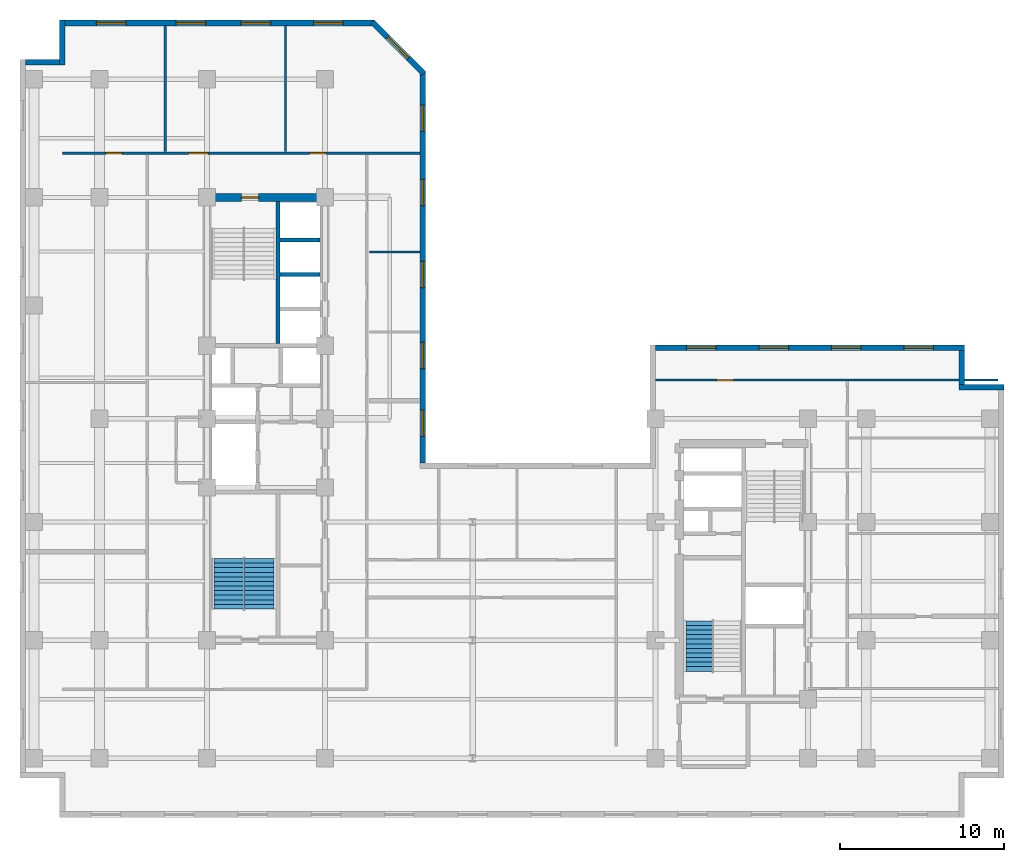
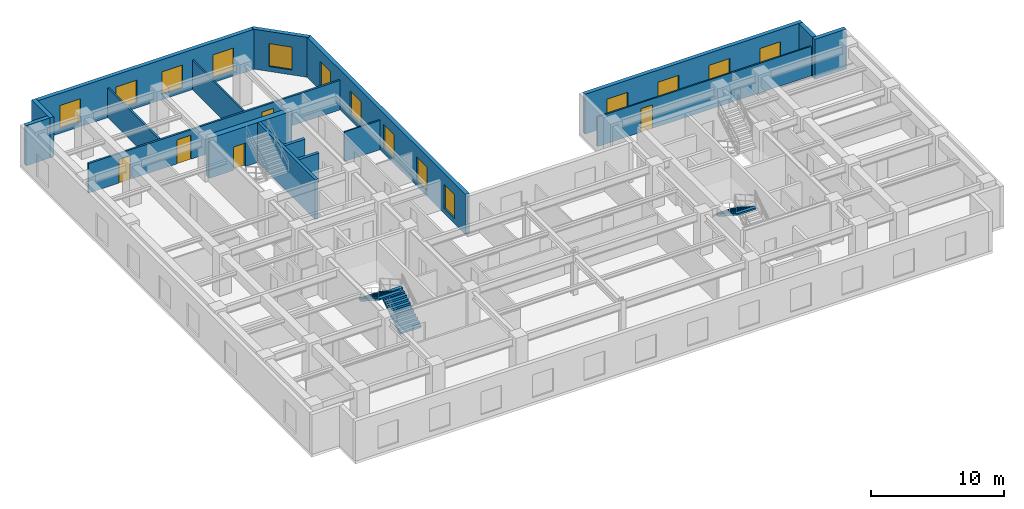
# One storey, part 6 of 10: 17 walls, 14 windows, 5 doors, 3 stair flights, 19 openings, 2 elements without a shape of their own.
"""IFC4 building model written with IfcOpenShell, lengths in metres."""

from ifc_helpers import new_model, entity, si_unit, converted_unit, direction, frame, origin_with_axes, origin_2d_with_axis, place, context, subcontext, project, spatial, polyline, rectangle, outline, extrude, material, layer, layer_set, type_object, element, fill, aggregate, save


model = new_model("IFC4")

# Units and contexts
model_context = context("Model", 3, precision=1e-05, world=origin_with_axes(), true_north=direction((0.0, 1.0)))
body_context = subcontext(model_context, "Body", "Model", "MODEL_VIEW")
ifc_project = project(units=[si_unit("LENGTHUNIT", "METRE"), si_unit("AREAUNIT", "SQUARE_METRE"), si_unit("VOLUMEUNIT", "CUBIC_METRE"), converted_unit("PLANEANGLEUNIT", "DEGREE", entity("IfcPlaneAngleMeasure", 0.017453292519943295), si_unit("PLANEANGLEUNIT", "RADIAN"), dimensions=[0, 0, 0, 0, 0, 0, 0]), si_unit("MASSUNIT", "GRAM", prefix="KILO"), si_unit("THERMODYNAMICTEMPERATUREUNIT", "KELVIN")], contexts=[model_context])

# Site, building, storey
site_placement = place(None, origin_with_axes())
site = spatial("IfcSite", under=ifc_project, at=site_placement, CompositionType="ELEMENT")
building_placement = place(site_placement, origin_with_axes())
building = spatial("IfcBuilding", under=site, at=building_placement, Name="Varnlund Millrace Tower", CompositionType="ELEMENT")
storey_placement = place(building_placement, frame((0.0, 0.0, 171.9), z_axis=(0.0, 0.0, 1.0), x_axis=(1.0, 0.0, 0.0)))
storey = spatial("IfcBuildingStorey", under=building, at=storey_placement, Name="L42", CompositionType="ELEMENT", Elevation=171.9)

# Wall, opening, door
ifc_material_1 = material(Name="Concrete C70/85", Category="concrete")
ifc_layer_1 = layer(ifc_material_1, 0.5, Name="Concrete C70/85")
ifc_layer_set_1 = layer_set([ifc_layer_1], Name="Concrete C70/85")
wall_type_1 = type_object("IfcWallType", Name="Type-CoreWall-Shear-500-C70", PredefinedType="SHEAR", material=ifc_layer_set_1)
wall_1_placement = place(storey_placement, frame((11.4, 37.8, 0.0), z_axis=(0.0, 0.0, 1.0), x_axis=(1.0, 0.0, 0.0)))
wall_1 = element("IfcWall", 1, at=wall_1_placement, inside=storey, type_object=wall_type_1, Name="Type-CoreWall-Shear-500-C70", PredefinedType="SHEAR", context=body_context, shape_type="SweptSolid", body=[
    extrude(outline(polyline([(0.0, -0.25), (7.2, -0.25), (7.2, 0.25), (0.0, 0.25), (0.0, -0.25)])), origin_with_axes(), (0.0, 0.0, 1.0), 3.66),
])
opening_1_placement = place(wall_1_placement, frame((2.625, 0.0, 0.0), z_axis=(0.0, 0.0, 1.0), x_axis=(1.0, 0.0, 0.0)))
opening_1 = element("IfcOpeningElement", 2, at=opening_1_placement, cuts=wall_1, Name="Opening L42:DR-STA2", PredefinedType="OPENING", context=body_context, shape_type="SweptSolid", body=[
    extrude(rectangle(XDim=1.05, YDim=0.52, at=origin_2d_with_axis()), origin_with_axes(), (0.0, 0.0, 1.0), 2.15),
])
ifc_material_2 = material(Name="Fire-rated hollow steel door", Category="steel")
door_type_1 = type_object("IfcDoorType", Name="Type-FireDoor-Stair-1050X2150", OperationType="NOTDEFINED", PredefinedType="DOOR", material=ifc_material_2)
door_1_placement = place(wall_1_placement, frame((2.625, 0.0, 0.0), z_axis=(0.0, 0.0, 1.0), x_axis=(1.0, 0.0, 0.0)))
door_1 = element("IfcDoor", 3, at=door_1_placement, inside=storey, type_object=door_type_1, Name="Type-FireDoor-Stair-1050X2150", OperationType="SINGLE_SWING_RIGHT", OverallHeight=2.15, OverallWidth=1.05, PredefinedType="DOOR", context=body_context, shape_type="SweptSolid", body=[
    extrude(rectangle(XDim=1.05, YDim=0.09, at=origin_2d_with_axis()), origin_with_axes(), (0.0, 0.0, 1.0), 2.15),
])
fill(opening_1, door_1)

# Wall, openings, windows
ifc_material_3 = material(Name="Precast concrete C50/60", Category="concrete")
ifc_layer_2 = layer(ifc_material_3, 0.34, Name="Precast concrete C50/60")
ifc_layer_set_2 = layer_set([ifc_layer_2], Name="Precast concrete C50/60")
wall_type_2 = type_object("IfcWallType", Name="Type-ExtWall-Precast-Upper-340", PredefinedType="SOLIDWALL", material=ifc_layer_set_2)
wall_2_placement = place(storey_placement, frame((38.74, 28.63, 0.0), z_axis=(0.0, 0.0, 1.0), x_axis=(1.0, 0.0, 0.0)))
wall_2 = element("IfcWall", 4, at=wall_2_placement, inside=storey, type_object=wall_type_2, Name="Type-ExtWall-Precast-Upper-340", PredefinedType="SOLIDWALL", context=body_context, shape_type="SweptSolid", body=[
    extrude(outline(polyline([(0.0, -0.17), (18.86, -0.17), (18.86, 0.17), (0.0, 0.17), (0.0, -0.17)])), origin_with_axes(), (0.0, 0.0, 1.0), 3.66),
])
opening_2_placement = place(wall_2_placement, frame((2.808, 0.0, 0.45), z_axis=(0.0, 0.0, 1.0), x_axis=(1.0, 0.0, 0.0)))
opening_2 = element("IfcOpeningElement", 5, at=opening_2_placement, cuts=wall_2, Name="Opening L42:WN-01", PredefinedType="OPENING", context=body_context, shape_type="SweptSolid", body=[
    extrude(rectangle(XDim=1.8, YDim=0.36, at=origin_2d_with_axis()), origin_with_axes(), (0.0, 0.0, 1.0), 2.1),
])
opening_3_placement = place(wall_2_placement, frame((7.222, 0.0, 0.45), z_axis=(0.0, 0.0, 1.0), x_axis=(1.0, 0.0, 0.0)))
opening_3 = element("IfcOpeningElement", 6, at=opening_3_placement, cuts=wall_2, Name="Opening L42:WN-02", PredefinedType="OPENING", context=body_context, shape_type="SweptSolid", body=[
    extrude(rectangle(XDim=1.8, YDim=0.36, at=origin_2d_with_axis()), origin_with_axes(), (0.0, 0.0, 1.0), 2.1),
])
opening_4_placement = place(wall_2_placement, frame((11.637, 0.0, 0.45), z_axis=(0.0, 0.0, 1.0), x_axis=(1.0, 0.0, 0.0)))
opening_4 = element("IfcOpeningElement", 7, at=opening_4_placement, cuts=wall_2, Name="Opening L42:WN-03", PredefinedType="OPENING", context=body_context, shape_type="SweptSolid", body=[
    extrude(rectangle(XDim=1.8, YDim=0.36, at=origin_2d_with_axis()), origin_with_axes(), (0.0, 0.0, 1.0), 2.1),
])
opening_5_placement = place(wall_2_placement, frame((16.053, 0.0, 0.45), z_axis=(0.0, 0.0, 1.0), x_axis=(1.0, 0.0, 0.0)))
opening_5 = element("IfcOpeningElement", 8, at=opening_5_placement, cuts=wall_2, Name="Opening L42:WN-04", PredefinedType="OPENING", context=body_context, shape_type="SweptSolid", body=[
    extrude(rectangle(XDim=1.8, YDim=0.36, at=origin_2d_with_axis()), origin_with_axes(), (0.0, 0.0, 1.0), 2.1),
])
ifc_material_4 = material(Name="Argon low-e triple glazing in thermally broken bronze frame", Category="glass")
window_type_1 = type_object("IfcWindowType", Name="Type-Window-Punched-1800X2100", PartitioningType="SINGLE_PANEL", PredefinedType="WINDOW", material=ifc_material_4)
window_1_placement = place(wall_2_placement, frame((2.808, 0.0, 0.45), z_axis=(0.0, 0.0, 1.0), x_axis=(1.0, 0.0, 0.0)))
window_1 = element("IfcWindow", 9, at=window_1_placement, inside=storey, type_object=window_type_1, Name="Type-Window-Punched-1800X2100", OverallHeight=2.1, OverallWidth=1.8, PredefinedType="WINDOW", context=body_context, shape_type="SweptSolid", body=[
    extrude(rectangle(XDim=1.8, YDim=0.09, at=origin_2d_with_axis()), origin_with_axes(), (0.0, 0.0, 1.0), 2.1),
])
fill(opening_2, window_1)
window_2_placement = place(wall_2_placement, frame((7.222, 0.0, 0.45), z_axis=(0.0, 0.0, 1.0), x_axis=(1.0, 0.0, 0.0)))
window_2 = element("IfcWindow", 10, at=window_2_placement, inside=storey, type_object=window_type_1, Name="Type-Window-Punched-1800X2100", OverallHeight=2.1, OverallWidth=1.8, PredefinedType="WINDOW", context=body_context, shape_type="SweptSolid", body=[
    extrude(rectangle(XDim=1.8, YDim=0.09, at=origin_2d_with_axis()), origin_with_axes(), (0.0, 0.0, 1.0), 2.1),
])
fill(opening_3, window_2)
window_3_placement = place(wall_2_placement, frame((11.637, 0.0, 0.45), z_axis=(0.0, 0.0, 1.0), x_axis=(1.0, 0.0, 0.0)))
window_3 = element("IfcWindow", 11, at=window_3_placement, inside=storey, type_object=window_type_1, Name="Type-Window-Punched-1800X2100", OverallHeight=2.1, OverallWidth=1.8, PredefinedType="WINDOW", context=body_context, shape_type="SweptSolid", body=[
    extrude(rectangle(XDim=1.8, YDim=0.09, at=origin_2d_with_axis()), origin_with_axes(), (0.0, 0.0, 1.0), 2.1),
])
fill(opening_4, window_3)
window_4_placement = place(wall_2_placement, frame((16.053, 0.0, 0.45), z_axis=(0.0, 0.0, 1.0), x_axis=(1.0, 0.0, 0.0)))
window_4 = element("IfcWindow", 12, at=window_4_placement, inside=storey, type_object=window_type_1, Name="Type-Window-Punched-1800X2100", OverallHeight=2.1, OverallWidth=1.8, PredefinedType="WINDOW", context=body_context, shape_type="SweptSolid", body=[
    extrude(rectangle(XDim=1.8, YDim=0.09, at=origin_2d_with_axis()), origin_with_axes(), (0.0, 0.0, 1.0), 2.1),
])
fill(opening_5, window_4)

# Walls
wall_3_placement = place(storey_placement, frame((57.43, 28.46, 0.0), z_axis=(0.0, 0.0, 1.0), x_axis=(0.0, -1.0, 0.0)))
element("IfcWall", 13, at=wall_3_placement, inside=storey, type_object=wall_type_2, Name="Type-ExtWall-Precast-Upper-340", PredefinedType="SOLIDWALL", context=body_context, shape_type="SweptSolid", body=[
    extrude(outline(polyline([(0.0, -0.17), (2.06, -0.17), (2.06, 0.17), (0.0, 0.17), (0.0, -0.17)])), origin_with_axes(), (0.0, 0.0, 1.0), 3.66),
])
wall_4_placement = place(storey_placement, frame((57.26, 26.23, 0.0), z_axis=(0.0, 0.0, 1.0), x_axis=(1.0, 0.0, 0.0)))
element("IfcWall", 14, at=wall_4_placement, inside=storey, type_object=wall_type_2, Name="Type-ExtWall-Precast-Upper-340", PredefinedType="SOLIDWALL", context=body_context, shape_type="SweptSolid", body=[
    extrude(outline(polyline([(0.0, -0.17), (2.74, -0.17), (2.74, 0.17), (0.0, 0.17), (0.0, -0.17)])), origin_with_axes(), (0.0, 0.0, 1.0), 3.66),
])
wall_5_placement = place(storey_placement, frame((0.34, 46.03, 0.0), z_axis=(0.0, 0.0, 1.0), x_axis=(1.0, 0.0, 0.0)))
element("IfcWall", 15, at=wall_5_placement, inside=storey, type_object=wall_type_2, Name="Type-ExtWall-Precast-Upper-340", PredefinedType="SOLIDWALL", context=body_context, shape_type="SweptSolid", body=[
    extrude(outline(polyline([(0.0, -0.17), (2.06, -0.17), (2.06, 0.17), (0.0, 0.17), (0.0, -0.17)])), origin_with_axes(), (0.0, 0.0, 1.0), 3.66),
])
wall_6_placement = place(storey_placement, frame((2.57, 45.86, 0.0), z_axis=(0.0, 0.0, 1.0), x_axis=(0.0, 1.0, 0.0)))
element("IfcWall", 16, at=wall_6_placement, inside=storey, type_object=wall_type_2, Name="Type-ExtWall-Precast-Upper-340", PredefinedType="SOLIDWALL", context=body_context, shape_type="SweptSolid", body=[
    extrude(outline(polyline([(0.0, -0.17), (2.74, -0.17), (2.74, 0.17), (0.0, 0.17), (0.0, -0.17)])), origin_with_axes(), (0.0, 0.0, 1.0), 3.66),
])

# Wall, openings, windows
wall_7_placement = place(storey_placement, frame((2.74, 48.43, 0.0), z_axis=(0.0, 0.0, 1.0), x_axis=(1.0, 0.0, 0.0)))
wall_7 = element("IfcWall", 17, at=wall_7_placement, inside=storey, type_object=wall_type_2, Name="Type-ExtWall-Precast-Upper-340", PredefinedType="SOLIDWALL", context=body_context, shape_type="SweptSolid", body=[
    extrude(outline(polyline([(0.0, -0.17), (18.878, -0.17), (18.878, 0.17), (0.0, 0.17), (0.0, -0.17)])), origin_with_axes(), (0.0, 0.0, 1.0), 3.66),
])
opening_6_placement = place(wall_7_placement, frame((2.81, 0.0, 0.45), z_axis=(0.0, 0.0, 1.0), x_axis=(1.0, 0.0, 0.0)))
opening_6 = element("IfcOpeningElement", 18, at=opening_6_placement, cuts=wall_7, Name="Opening L42:WN-26", PredefinedType="OPENING", context=body_context, shape_type="SweptSolid", body=[
    extrude(rectangle(XDim=1.8, YDim=0.36, at=origin_2d_with_axis()), origin_with_axes(), (0.0, 0.0, 1.0), 2.1),
])
opening_7_placement = place(wall_7_placement, frame((7.679, 0.0, 0.45), z_axis=(0.0, 0.0, 1.0), x_axis=(1.0, 0.0, 0.0)))
opening_7 = element("IfcOpeningElement", 19, at=opening_7_placement, cuts=wall_7, Name="Opening L42:WN-27", PredefinedType="OPENING", context=body_context, shape_type="SweptSolid", body=[
    extrude(rectangle(XDim=1.8, YDim=0.36, at=origin_2d_with_axis()), origin_with_axes(), (0.0, 0.0, 1.0), 2.1),
])
opening_8_placement = place(wall_7_placement, frame((11.649, 0.0, 0.45), z_axis=(0.0, 0.0, 1.0), x_axis=(1.0, 0.0, 0.0)))
opening_8 = element("IfcOpeningElement", 20, at=opening_8_placement, cuts=wall_7, Name="Opening L42:WN-28", PredefinedType="OPENING", context=body_context, shape_type="SweptSolid", body=[
    extrude(rectangle(XDim=1.8, YDim=0.36, at=origin_2d_with_axis()), origin_with_axes(), (0.0, 0.0, 1.0), 2.1),
])
opening_9_placement = place(wall_7_placement, frame((16.068, 0.0, 0.45), z_axis=(0.0, 0.0, 1.0), x_axis=(1.0, 0.0, 0.0)))
opening_9 = element("IfcOpeningElement", 21, at=opening_9_placement, cuts=wall_7, Name="Opening L42:WN-29", PredefinedType="OPENING", context=body_context, shape_type="SweptSolid", body=[
    extrude(rectangle(XDim=1.8, YDim=0.36, at=origin_2d_with_axis()), origin_with_axes(), (0.0, 0.0, 1.0), 2.1),
])
window_5_placement = place(wall_7_placement, frame((2.81, 0.0, 0.45), z_axis=(0.0, 0.0, 1.0), x_axis=(1.0, 0.0, 0.0)))
window_5 = element("IfcWindow", 22, at=window_5_placement, inside=storey, type_object=window_type_1, Name="Type-Window-Punched-1800X2100", OverallHeight=2.1, OverallWidth=1.8, PredefinedType="WINDOW", context=body_context, shape_type="SweptSolid", body=[
    extrude(rectangle(XDim=1.8, YDim=0.09, at=origin_2d_with_axis()), origin_with_axes(), (0.0, 0.0, 1.0), 2.1),
])
fill(opening_6, window_5)
window_6_placement = place(wall_7_placement, frame((7.679, 0.0, 0.45), z_axis=(0.0, 0.0, 1.0), x_axis=(1.0, 0.0, 0.0)))
window_6 = element("IfcWindow", 23, at=window_6_placement, inside=storey, type_object=window_type_1, Name="Type-Window-Punched-1800X2100", OverallHeight=2.1, OverallWidth=1.8, PredefinedType="WINDOW", context=body_context, shape_type="SweptSolid", body=[
    extrude(rectangle(XDim=1.8, YDim=0.09, at=origin_2d_with_axis()), origin_with_axes(), (0.0, 0.0, 1.0), 2.1),
])
fill(opening_7, window_6)
window_7_placement = place(wall_7_placement, frame((11.649, 0.0, 0.45), z_axis=(0.0, 0.0, 1.0), x_axis=(1.0, 0.0, 0.0)))
window_7 = element("IfcWindow", 24, at=window_7_placement, inside=storey, type_object=window_type_1, Name="Type-Window-Punched-1800X2100", OverallHeight=2.1, OverallWidth=1.8, PredefinedType="WINDOW", context=body_context, shape_type="SweptSolid", body=[
    extrude(rectangle(XDim=1.8, YDim=0.09, at=origin_2d_with_axis()), origin_with_axes(), (0.0, 0.0, 1.0), 2.1),
])
fill(opening_8, window_7)
window_8_placement = place(wall_7_placement, frame((16.068, 0.0, 0.45), z_axis=(0.0, 0.0, 1.0), x_axis=(1.0, 0.0, 0.0)))
window_8 = element("IfcWindow", 25, at=window_8_placement, inside=storey, type_object=window_type_1, Name="Type-Window-Punched-1800X2100", OverallHeight=2.1, OverallWidth=1.8, PredefinedType="WINDOW", context=body_context, shape_type="SweptSolid", body=[
    extrude(rectangle(XDim=1.8, YDim=0.09, at=origin_2d_with_axis()), origin_with_axes(), (0.0, 0.0, 1.0), 2.1),
])
fill(opening_9, window_8)

# Wall, opening, window
wall_8_placement = place(storey_placement, frame((21.484, 48.494, 0.0), z_axis=(0.0, 0.0, 1.0), x_axis=(0.707107, -0.707107, 0.0)))
wall_8 = element("IfcWall", 26, at=wall_8_placement, inside=storey, type_object=wall_type_2, Name="Type-ExtWall-Precast-Upper-340", PredefinedType="SOLIDWALL", context=body_context, shape_type="SweptSolid", body=[
    extrude(outline(polyline([(0.0, -0.17), (4.432145, -0.17), (4.432145, 0.17), (0.0, 0.17), (0.0, -0.17)])), origin_with_axes(), (0.0, 0.0, 1.0), 3.66),
])
opening_10_placement = place(wall_8_placement, frame((2.216, 0.0, 0.45), z_axis=(0.0, 0.0, 1.0), x_axis=(1.0, 0.0, 0.0)))
opening_10 = element("IfcOpeningElement", 27, at=opening_10_placement, cuts=wall_8, Name="Opening L42:WN-30", PredefinedType="OPENING", context=body_context, shape_type="SweptSolid", body=[
    extrude(rectangle(XDim=1.8, YDim=0.36, at=origin_2d_with_axis()), origin_with_axes(), (0.0, 0.0, 1.0), 2.1),
])
window_9_placement = place(wall_8_placement, frame((2.216, 0.0, 0.45), z_axis=(0.0, 0.0, 1.0), x_axis=(1.0, 0.0, 0.0)))
window_9 = element("IfcWindow", 28, at=window_9_placement, inside=storey, type_object=window_type_1, Name="Type-Window-Punched-1800X2100", OverallHeight=2.1, OverallWidth=1.8, PredefinedType="WINDOW", context=body_context, shape_type="SweptSolid", body=[
    extrude(rectangle(XDim=1.8, YDim=0.09, at=origin_2d_with_axis()), origin_with_axes(), (0.0, 0.0, 1.0), 2.1),
])
fill(opening_10, window_9)

# Wall, openings, windows
wall_9_placement = place(storey_placement, frame((24.568, 45.5, 0.0), z_axis=(0.0, 0.0, 1.0), x_axis=(0.0, -1.0, 0.0)))
wall_9 = element("IfcWall", 29, at=wall_9_placement, inside=storey, type_object=wall_type_2, Name="Type-ExtWall-Precast-Upper-340", PredefinedType="SOLIDWALL", context=body_context, shape_type="SweptSolid", body=[
    extrude(outline(polyline([(0.0, -0.17), (23.9, -0.17), (23.9, 0.17), (0.0, 0.17), (0.0, -0.17)])), origin_with_axes(), (0.0, 0.0, 1.0), 3.66),
])
opening_11_placement = place(wall_9_placement, frame((2.87, 0.0, 0.45), z_axis=(0.0, 0.0, 1.0), x_axis=(1.0, 0.0, 0.0)))
opening_11 = element("IfcOpeningElement", 30, at=opening_11_placement, cuts=wall_9, Name="Opening L42:WN-31", PredefinedType="OPENING", context=body_context, shape_type="SweptSolid", body=[
    extrude(rectangle(XDim=1.6, YDim=0.36, at=origin_2d_with_axis()), origin_with_axes(), (0.0, 0.0, 1.0), 2.2),
])
opening_12_placement = place(wall_9_placement, frame((7.41, 0.0, 0.45), z_axis=(0.0, 0.0, 1.0), x_axis=(1.0, 0.0, 0.0)))
opening_12 = element("IfcOpeningElement", 31, at=opening_12_placement, cuts=wall_9, Name="Opening L42:WN-32", PredefinedType="OPENING", context=body_context, shape_type="SweptSolid", body=[
    extrude(rectangle(XDim=1.6, YDim=0.36, at=origin_2d_with_axis()), origin_with_axes(), (0.0, 0.0, 1.0), 2.2),
])
opening_13_placement = place(wall_9_placement, frame((12.4, 0.0, 0.45), z_axis=(0.0, 0.0, 1.0), x_axis=(1.0, 0.0, 0.0)))
opening_13 = element("IfcOpeningElement", 32, at=opening_13_placement, cuts=wall_9, Name="Opening L42:WN-33", PredefinedType="OPENING", context=body_context, shape_type="SweptSolid", body=[
    extrude(rectangle(XDim=1.6, YDim=0.36, at=origin_2d_with_axis()), origin_with_axes(), (0.0, 0.0, 1.0), 2.2),
])
opening_14_placement = place(wall_9_placement, frame((17.34, 0.0, 0.45), z_axis=(0.0, 0.0, 1.0), x_axis=(1.0, 0.0, 0.0)))
opening_14 = element("IfcOpeningElement", 33, at=opening_14_placement, cuts=wall_9, Name="Opening L42:WN-34", PredefinedType="OPENING", context=body_context, shape_type="SweptSolid", body=[
    extrude(rectangle(XDim=1.6, YDim=0.36, at=origin_2d_with_axis()), origin_with_axes(), (0.0, 0.0, 1.0), 2.2),
])
opening_15_placement = place(wall_9_placement, frame((21.48, 0.0, 0.45), z_axis=(0.0, 0.0, 1.0), x_axis=(1.0, 0.0, 0.0)))
opening_15 = element("IfcOpeningElement", 34, at=opening_15_placement, cuts=wall_9, Name="Opening L42:WN-35", PredefinedType="OPENING", context=body_context, shape_type="SweptSolid", body=[
    extrude(rectangle(XDim=1.6, YDim=0.36, at=origin_2d_with_axis()), origin_with_axes(), (0.0, 0.0, 1.0), 2.2),
])
window_type_2 = type_object("IfcWindowType", Name="Type-Window-Slot-1600X2200", PartitioningType="SINGLE_PANEL", PredefinedType="WINDOW", material=ifc_material_4)
window_10_placement = place(wall_9_placement, frame((2.87, 0.0, 0.45), z_axis=(0.0, 0.0, 1.0), x_axis=(1.0, 0.0, 0.0)))
window_10 = element("IfcWindow", 35, at=window_10_placement, inside=storey, type_object=window_type_2, Name="Type-Window-Slot-1600X2200", OverallHeight=2.2, OverallWidth=1.6, PredefinedType="WINDOW", context=body_context, shape_type="SweptSolid", body=[
    extrude(rectangle(XDim=1.6, YDim=0.09, at=origin_2d_with_axis()), origin_with_axes(), (0.0, 0.0, 1.0), 2.2),
])
fill(opening_11, window_10)
window_11_placement = place(wall_9_placement, frame((7.41, 0.0, 0.45), z_axis=(0.0, 0.0, 1.0), x_axis=(1.0, 0.0, 0.0)))
window_11 = element("IfcWindow", 36, at=window_11_placement, inside=storey, type_object=window_type_2, Name="Type-Window-Slot-1600X2200", OverallHeight=2.2, OverallWidth=1.6, PredefinedType="WINDOW", context=body_context, shape_type="SweptSolid", body=[
    extrude(rectangle(XDim=1.6, YDim=0.09, at=origin_2d_with_axis()), origin_with_axes(), (0.0, 0.0, 1.0), 2.2),
])
fill(opening_12, window_11)
window_12_placement = place(wall_9_placement, frame((12.4, 0.0, 0.45), z_axis=(0.0, 0.0, 1.0), x_axis=(1.0, 0.0, 0.0)))
window_12 = element("IfcWindow", 37, at=window_12_placement, inside=storey, type_object=window_type_2, Name="Type-Window-Slot-1600X2200", OverallHeight=2.2, OverallWidth=1.6, PredefinedType="WINDOW", context=body_context, shape_type="SweptSolid", body=[
    extrude(rectangle(XDim=1.6, YDim=0.09, at=origin_2d_with_axis()), origin_with_axes(), (0.0, 0.0, 1.0), 2.2),
])
fill(opening_13, window_12)
window_13_placement = place(wall_9_placement, frame((17.34, 0.0, 0.45), z_axis=(0.0, 0.0, 1.0), x_axis=(1.0, 0.0, 0.0)))
window_13 = element("IfcWindow", 38, at=window_13_placement, inside=storey, type_object=window_type_2, Name="Type-Window-Slot-1600X2200", OverallHeight=2.2, OverallWidth=1.6, PredefinedType="WINDOW", context=body_context, shape_type="SweptSolid", body=[
    extrude(rectangle(XDim=1.6, YDim=0.09, at=origin_2d_with_axis()), origin_with_axes(), (0.0, 0.0, 1.0), 2.2),
])
fill(opening_14, window_13)
window_14_placement = place(wall_9_placement, frame((21.48, 0.0, 0.45), z_axis=(0.0, 0.0, 1.0), x_axis=(1.0, 0.0, 0.0)))
window_14 = element("IfcWindow", 39, at=window_14_placement, inside=storey, type_object=window_type_2, Name="Type-Window-Slot-1600X2200", OverallHeight=2.2, OverallWidth=1.6, PredefinedType="WINDOW", context=body_context, shape_type="SweptSolid", body=[
    extrude(rectangle(XDim=1.6, YDim=0.09, at=origin_2d_with_axis()), origin_with_axes(), (0.0, 0.0, 1.0), 2.2),
])
fill(opening_15, window_14)

# Wall, openings, doors
ifc_material_5 = material(Name="Fire-rated gypsum board on cold-formed steel framing", Category="steel")
ifc_layer_3 = layer(ifc_material_5, 0.16, Name="Fire-rated gypsum board on cold-formed steel framing")
ifc_layer_set_3 = layer_set([ifc_layer_3], Name="Fire-rated gypsum board on cold-formed steel framing")
wall_type_3 = type_object("IfcWallType", Name="Type-Partition-Corridor-160", PredefinedType="PARTITIONING", material=ifc_layer_set_3)
wall_10_placement = place(storey_placement, frame((2.6, 40.5, 0.0), z_axis=(0.0, 0.0, 1.0), x_axis=(1.0, 0.0, 0.0)))
wall_10 = element("IfcWall", 40, at=wall_10_placement, inside=storey, type_object=wall_type_3, Name="Type-Partition-Corridor-160", PredefinedType="PARTITIONING", context=body_context, shape_type="SweptSolid", body=[
    extrude(outline(polyline([(0.0, -0.08), (21.803, -0.08), (21.803, 0.08), (0.0, 0.08), (0.0, -0.08)])), origin_with_axes(), (0.0, 0.0, 1.0), 2.7),
])
opening_16_placement = place(wall_10_placement, frame((3.13, 0.0, 0.0), z_axis=(0.0, 0.0, 1.0), x_axis=(1.0, 0.0, 0.0)))
opening_16 = element("IfcOpeningElement", 41, at=opening_16_placement, cuts=wall_10, Name="Opening L42:DR-WAN-01", PredefinedType="OPENING", context=body_context, shape_type="SweptSolid", body=[
    extrude(rectangle(XDim=1.0, YDim=0.18, at=origin_2d_with_axis()), origin_with_axes(), (0.0, 0.0, 1.0), 2.15),
])
opening_17_placement = place(wall_10_placement, frame((8.277, 0.0, 0.0), z_axis=(0.0, 0.0, 1.0), x_axis=(1.0, 0.0, 0.0)))
opening_17 = element("IfcOpeningElement", 42, at=opening_17_placement, cuts=wall_10, Name="Opening L42:DR-WAN-02", PredefinedType="OPENING", context=body_context, shape_type="SweptSolid", body=[
    extrude(rectangle(XDim=1.2, YDim=0.18, at=origin_2d_with_axis()), origin_with_axes(), (0.0, 0.0, 1.0), 2.2),
])
opening_18_placement = place(wall_10_placement, frame((15.5525, 0.0, 0.0), z_axis=(0.0, 0.0, 1.0), x_axis=(1.0, 0.0, 0.0)))
opening_18 = element("IfcOpeningElement", 43, at=opening_18_placement, cuts=wall_10, Name="Opening L42:DR-WAN-03", PredefinedType="OPENING", context=body_context, shape_type="SweptSolid", body=[
    extrude(rectangle(XDim=1.0, YDim=0.18, at=origin_2d_with_axis()), origin_with_axes(), (0.0, 0.0, 1.0), 2.15),
])
ifc_material_6 = material(Name="Wide executive white oak acoustic door")
door_type_2 = type_object("IfcDoorType", Name="Type-IntDoor-Exec-1200X2200", OperationType="NOTDEFINED", PredefinedType="DOOR", material=ifc_material_6)
door_2_placement = place(wall_10_placement, frame((8.277, 0.0, 0.0), z_axis=(0.0, 0.0, 1.0), x_axis=(1.0, 0.0, 0.0)))
door_2 = element("IfcDoor", 44, at=door_2_placement, inside=storey, type_object=door_type_2, Name="Type-IntDoor-Exec-1200X2200", OperationType="SINGLE_SWING_RIGHT", OverallHeight=2.2, OverallWidth=1.2, PredefinedType="DOOR", context=body_context, shape_type="SweptSolid", body=[
    extrude(rectangle(XDim=1.2, YDim=0.09, at=origin_2d_with_axis()), origin_with_axes(), (0.0, 0.0, 1.0), 2.2),
])
fill(opening_17, door_2)
ifc_material_7 = material(Name="Solid-core white oak and bronze frame door")
door_type_3 = type_object("IfcDoorType", Name="Type-IntDoor-Office-1000X2150", OperationType="NOTDEFINED", PredefinedType="DOOR", material=ifc_material_7)
door_3_placement = place(wall_10_placement, frame((3.13, 0.0, 0.0), z_axis=(0.0, 0.0, 1.0), x_axis=(1.0, 0.0, 0.0)))
door_3 = element("IfcDoor", 45, at=door_3_placement, inside=storey, type_object=door_type_3, Name="Type-IntDoor-Office-1000X2150", OperationType="SINGLE_SWING_LEFT", OverallHeight=2.15, OverallWidth=1.0, PredefinedType="DOOR", context=body_context, shape_type="SweptSolid", body=[
    extrude(rectangle(XDim=1.0, YDim=0.09, at=origin_2d_with_axis()), origin_with_axes(), (0.0, 0.0, 1.0), 2.15),
])
fill(opening_16, door_3)
door_4_placement = place(wall_10_placement, frame((15.5525, 0.0, 0.0), z_axis=(0.0, 0.0, 1.0), x_axis=(1.0, 0.0, 0.0)))
door_4 = element("IfcDoor", 46, at=door_4_placement, inside=storey, type_object=door_type_3, Name="Type-IntDoor-Office-1000X2150", OperationType="SINGLE_SWING_LEFT", OverallHeight=2.15, OverallWidth=1.0, PredefinedType="DOOR", context=body_context, shape_type="SweptSolid", body=[
    extrude(rectangle(XDim=1.0, YDim=0.09, at=origin_2d_with_axis()), origin_with_axes(), (0.0, 0.0, 1.0), 2.15),
])
fill(opening_18, door_4)

# Walls
ifc_material_8 = material(Name="Acoustic STC-50 gypsum board partition", Category="gypsum")
ifc_layer_4 = layer(ifc_material_8, 0.15, Name="Acoustic STC-50 gypsum board partition")
ifc_layer_set_4 = layer_set([ifc_layer_4], Name="Acoustic STC-50 gypsum board partition")
wall_type_4 = type_object("IfcWallType", Name="Type-Partition-Demising-150", PredefinedType="PARTITIONING", material=ifc_layer_set_4)
wall_11_placement = place(storey_placement, frame((8.87, 40.6, 0.0), z_axis=(0.0, 0.0, 1.0), x_axis=(0.0, 1.0, 0.0)))
element("IfcWall", 47, at=wall_11_placement, inside=storey, type_object=wall_type_4, Name="Type-Partition-Demising-150", PredefinedType="PARTITIONING", context=body_context, shape_type="SweptSolid", body=[
    extrude(outline(polyline([(0.0, -0.075), (7.665, -0.075), (7.665, 0.075), (0.0, 0.075), (0.0, -0.075)])), origin_with_axes(), (0.0, 0.0, 1.0), 2.7),
])
ifc_material_9 = material(Name="Gypsum board tenant partition", Category="gypsum")
ifc_layer_5 = layer(ifc_material_9, 0.125, Name="Gypsum board tenant partition")
ifc_layer_set_5 = layer_set([ifc_layer_5], Name="Gypsum board tenant partition")
wall_type_5 = type_object("IfcWallType", Name="Type-Partition-Tenant-125", PredefinedType="PARTITIONING", material=ifc_layer_set_5)
wall_12_placement = place(storey_placement, frame((16.185, 40.6, 0.0), z_axis=(0.0, 0.0, 1.0), x_axis=(0.0, 1.0, 0.0)))
element("IfcWall", 48, at=wall_12_placement, inside=storey, type_object=wall_type_5, Name="Type-Partition-Tenant-125", PredefinedType="PARTITIONING", context=body_context, shape_type="SweptSolid", body=[
    extrude(outline(polyline([(0.0, -0.0625), (7.665, -0.0625), (7.665, 0.0625), (0.0, 0.0625), (0.0, -0.0625)])), origin_with_axes(), (0.0, 0.0, 1.0), 2.7),
])
wall_13_placement = place(storey_placement, frame((21.3, 34.455, 0.0), z_axis=(0.0, 0.0, 1.0), x_axis=(1.0, 0.0, 0.0)))
element("IfcWall", 49, at=wall_13_placement, inside=storey, type_object=wall_type_5, Name="Type-Partition-Tenant-125", PredefinedType="PARTITIONING", context=body_context, shape_type="SweptSolid", body=[
    extrude(outline(polyline([(0.0, -0.0625), (3.103, -0.0625), (3.103, 0.0625), (0.0, 0.0625), (0.0, -0.0625)])), origin_with_axes(), (0.0, 0.0, 1.0), 2.7),
])

# Wall, opening, door
wall_14_placement = place(storey_placement, frame((38.735, 26.65, 0.0), z_axis=(0.0, 0.0, 1.0), x_axis=(1.0, 0.0, 0.0)))
wall_14 = element("IfcWall", 50, at=wall_14_placement, inside=storey, type_object=wall_type_5, Name="Type-Partition-Tenant-125", PredefinedType="PARTITIONING", context=body_context, shape_type="SweptSolid", body=[
    extrude(outline(polyline([(0.0, -0.0625), (20.905, -0.0625), (20.905, 0.0625), (0.0, 0.0625), (0.0, -0.0625)])), origin_with_axes(), (0.0, 0.0, 1.0), 2.7),
])
opening_19_placement = place(wall_14_placement, frame((4.265, 0.0, 0.0), z_axis=(0.0, 0.0, 1.0), x_axis=(1.0, 0.0, 0.0)))
opening_19 = element("IfcOpeningElement", 51, at=opening_19_placement, cuts=wall_14, Name="Opening L42:DR-WBN-01", PredefinedType="OPENING", context=body_context, shape_type="SweptSolid", body=[
    extrude(rectangle(XDim=1.0, YDim=0.145, at=origin_2d_with_axis()), origin_with_axes(), (0.0, 0.0, 1.0), 2.15),
])
door_5_placement = place(wall_14_placement, frame((4.265, 0.0, 0.0), z_axis=(0.0, 0.0, 1.0), x_axis=(1.0, 0.0, 0.0)))
door_5 = element("IfcDoor", 52, at=door_5_placement, inside=storey, type_object=door_type_3, Name="Type-IntDoor-Office-1000X2150", OperationType="SINGLE_SWING_RIGHT", OverallHeight=2.15, OverallWidth=1.0, PredefinedType="DOOR", context=body_context, shape_type="SweptSolid", body=[
    extrude(rectangle(XDim=1.0, YDim=0.075, at=origin_2d_with_axis()), origin_with_axes(), (0.0, 0.0, 1.0), 2.15),
])
fill(opening_19, door_5)

# Walls
ifc_material_10 = material(Name="Concrete C60/75", Category="concrete")
ifc_layer_6 = layer(ifc_material_10, 0.25, Name="Concrete C60/75")
ifc_layer_set_6 = layer_set([ifc_layer_6], Name="Concrete C60/75")
wall_type_6 = type_object("IfcWallType", Name="Type-ShaftWall-Fire-250", PredefinedType="SOLIDWALL", material=ifc_layer_set_6)
for number, where, z_axis, x_axis, name in (
    (53, (15.84, 33.1, 0.0), (0.0, 0.0, 1.0), (1.0, 0.0, 0.0), "Type-ShaftWall-Fire-250"),
    (54, (15.84, 35.2, 0.0), (0.0, 0.0, 1.0), (1.0, 0.0, 0.0), "Type-ShaftWall-Fire-250"),
):
    element("IfcWall", number, at=place(storey_placement, frame(where, z_axis=z_axis, x_axis=x_axis)), inside=storey, type_object=wall_type_6, Name=name, PredefinedType="SOLIDWALL", context=body_context, shape_type="SweptSolid", body=[
        extrude(outline(polyline([(0.0, -0.125), (2.46, -0.125), (2.46, 0.125), (0.0, 0.125), (0.0, -0.125)])), origin_with_axes(), (0.0, 0.0, 1.0), 2.7),
    ])
wall_type_7 = type_object("IfcWallType", Name="Type-StairWall-Shear-250", PredefinedType="SHEAR", material=ifc_layer_set_6)
wall_15_placement = place(storey_placement, frame((15.725, 28.9, 0.0), z_axis=(0.0, 0.0, 1.0), x_axis=(0.0, 1.0, 0.0)))
element("IfcWall", 55, at=wall_15_placement, inside=storey, type_object=wall_type_7, Name="Type-StairWall-Shear-250", PredefinedType="SHEAR", context=body_context, shape_type="SweptSolid", body=[
    extrude(outline(polyline([(0.0, -0.125), (8.65, -0.125), (8.65, 0.125), (0.0, 0.125), (0.0, -0.125)])), origin_with_axes(), (0.0, 0.0, 1.0), 3.66),
])

# Stair, stair flight
ifc_material_11 = material(Name="Concrete C50/60", Category="concrete")
stair_type_1 = type_object("IfcStairType", Name="Type-Stair-Dogleg-165-390", PredefinedType="HALF_TURN_STAIR", material=ifc_material_11)
stair_1_placement = place(storey_placement, origin_with_axes())
stair_1 = element("IfcStair", 56, at=stair_1_placement, inside=storey, type_object=stair_type_1, Name="Type-Stair-Dogleg-165-390", PredefinedType="HALF_TURN_STAIR")
stair_flight_type_1 = type_object("IfcStairFlightType", Name="Type-Dogleg-Run-165-390", PredefinedType="STRAIGHT", material=ifc_material_3)
stair_flight_1_placement = place(storey_placement, frame((42.275, 11.98, 1.95), z_axis=(-1.0, 0.0, 0.0), x_axis=(0.0, -1.0, 0.0)))
stair_flight_1 = element("IfcStairFlight", 57, at=stair_flight_1_placement, type_object=stair_flight_type_1, Name="ST-B1 flight 2", NumberOfRisers=11, NumberOfTreads=11, PredefinedType="STRAIGHT", RiserHeight=0.177273, TreadLength=0.28, context=body_context, shape_type="SweptSolid", body=[
    extrude(outline(polyline([(0.0, 0.0), (0.0, 0.177273), (0.28, 0.177273), (0.28, 0.354545), (0.56, 0.354545), (0.56, 0.531818), (0.84, 0.531818), (0.84, 0.709091), (1.12, 0.709091), (1.12, 0.886364), (1.4, 0.886364), (1.4, 1.063636), (1.68, 1.063636), (1.68, 1.240909), (1.96, 1.240909), (1.96, 1.418182), (2.24, 1.418182), (2.24, 1.595454), (2.52, 1.595454), (2.52, 1.772727), (2.8, 1.772727), (2.8, 1.95), (3.08, 1.95), (3.08, 1.8), (0.28, 0.0), (0.0, 0.0)])), origin_with_axes(), (0.0, 0.0, 1.0), 1.65),
])
aggregate(stair_1, [stair_flight_1])

# Stair, stair flights
stair_type_2 = type_object("IfcStairType", Name="Type-Stair-Dogleg-185-390", PredefinedType="HALF_TURN_STAIR", material=ifc_material_11)
stair_2_placement = place(storey_placement, origin_with_axes())
stair_2 = element("IfcStair", 58, at=stair_2_placement, inside=storey, type_object=stair_type_2, Name="Type-Stair-Dogleg-185-390", PredefinedType="HALF_TURN_STAIR")
stair_flight_type_2 = type_object("IfcStairFlightType", Name="Type-Dogleg-Run-185-390", PredefinedType="STRAIGHT", material=ifc_material_3)
stair_flight_2_placement = place(storey_placement, frame((13.625, 12.7, 0.0), z_axis=(1.0, 0.0, 0.0), x_axis=(0.0, 1.0, 0.0)))
stair_flight_2 = element("IfcStairFlight", 59, at=stair_flight_2_placement, type_object=stair_flight_type_2, Name="ST-A1 flight 1", NumberOfRisers=11, NumberOfTreads=11, PredefinedType="STRAIGHT", RiserHeight=0.177273, TreadLength=0.28, context=body_context, shape_type="SweptSolid", body=[
    extrude(outline(polyline([(0.0, 0.0), (0.0, 0.177273), (0.28, 0.177273), (0.28, 0.354545), (0.56, 0.354545), (0.56, 0.531818), (0.84, 0.531818), (0.84, 0.709091), (1.12, 0.709091), (1.12, 0.886364), (1.4, 0.886364), (1.4, 1.063636), (1.68, 1.063636), (1.68, 1.240909), (1.96, 1.240909), (1.96, 1.418182), (2.24, 1.418182), (2.24, 1.595454), (2.52, 1.595454), (2.52, 1.772727), (2.8, 1.772727), (2.8, 1.95), (3.08, 1.95), (3.08, 1.8), (0.28, 0.0), (0.0, 0.0)])), origin_with_axes(), (0.0, 0.0, 1.0), 1.85),
])
stair_flight_3_placement = place(storey_placement, frame((13.675, 15.78, 1.95), z_axis=(-1.0, 0.0, 0.0), x_axis=(0.0, -1.0, 0.0)))
stair_flight_3 = element("IfcStairFlight", 60, at=stair_flight_3_placement, type_object=stair_flight_type_2, Name="ST-A1 flight 2", NumberOfRisers=11, NumberOfTreads=11, PredefinedType="STRAIGHT", RiserHeight=0.177273, TreadLength=0.28, context=body_context, shape_type="SweptSolid", body=[
    extrude(outline(polyline([(0.0, 0.0), (0.0, 0.177273), (0.28, 0.177273), (0.28, 0.354545), (0.56, 0.354545), (0.56, 0.531818), (0.84, 0.531818), (0.84, 0.709091), (1.12, 0.709091), (1.12, 0.886364), (1.4, 0.886364), (1.4, 1.063636), (1.68, 1.063636), (1.68, 1.240909), (1.96, 1.240909), (1.96, 1.418182), (2.24, 1.418182), (2.24, 1.595454), (2.52, 1.595454), (2.52, 1.772727), (2.8, 1.772727), (2.8, 1.95), (3.08, 1.95), (3.08, 1.8), (0.28, 0.0), (0.0, 0.0)])), origin_with_axes(), (0.0, 0.0, 1.0), 1.85),
])
aggregate(stair_2, [stair_flight_2, stair_flight_3])

save(model, "model.ifc")
